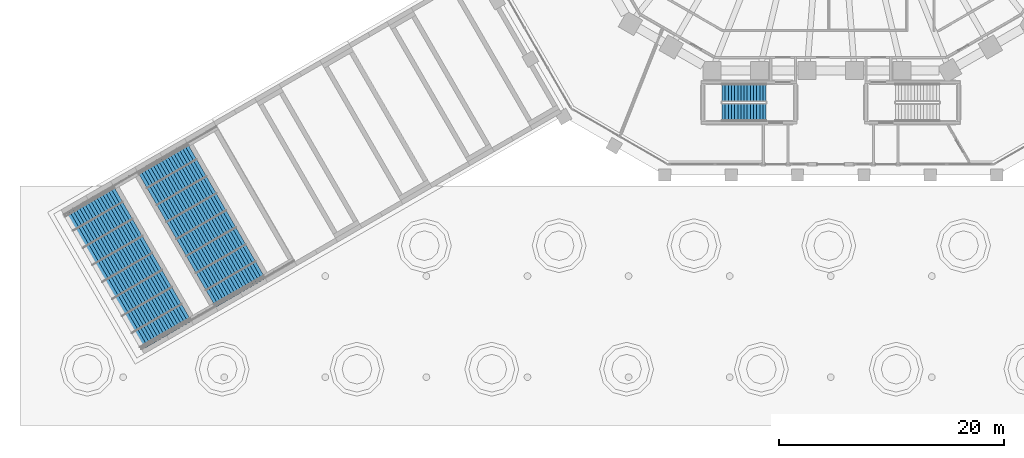
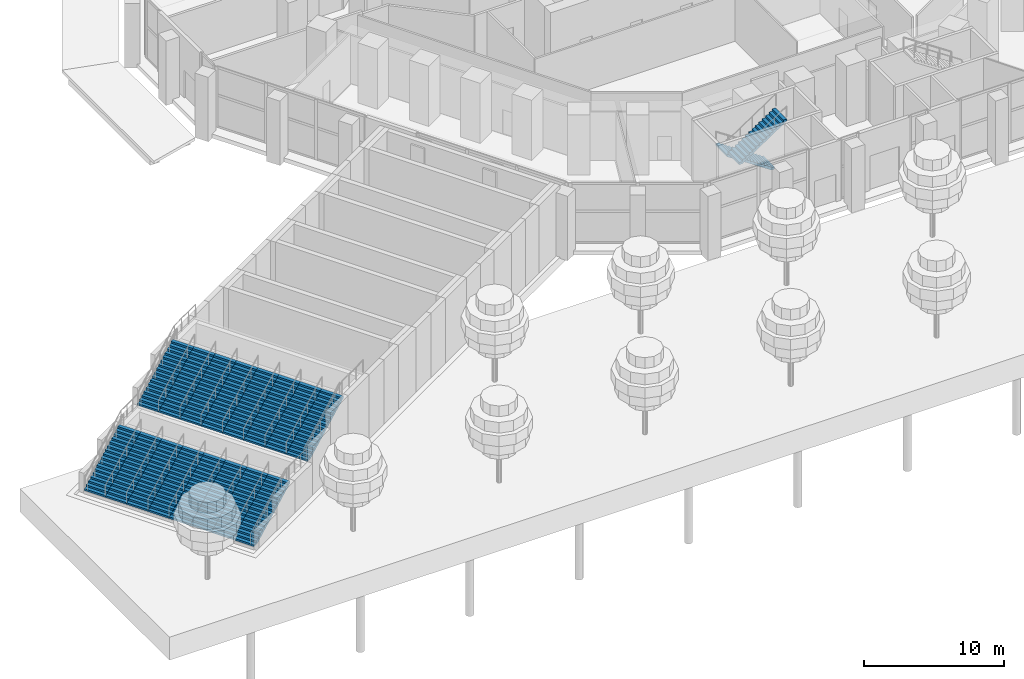
# One storey, part 29 of 44: 18 stair flights, 2 elements without a shape of their own.
"""IFC4 building model written with IfcOpenShell, lengths in metres."""

from ifc_helpers import new_model, si_unit, direction, frame, origin, place, context, subcontext, project, spatial, polyline, outline, extrude, material, layer, layer_set, type_object, element, aggregate, save


model = new_model("IFC4")

# Units and contexts
model_context = context("Model", 3, precision=1e-05, world=origin(), true_north=direction((0.0, 1.0)))
body_context = subcontext(model_context, "Body", "Model", "MODEL_VIEW")
ifc_project = project(units=[si_unit("LENGTHUNIT", "METRE"), si_unit("AREAUNIT", "SQUARE_METRE"), si_unit("VOLUMEUNIT", "CUBIC_METRE"), si_unit("PLANEANGLEUNIT", "RADIAN"), si_unit("MASSUNIT", "GRAM", prefix="KILO")], contexts=[model_context])

# Site, building, storey
site_placement = place(None, origin())
site = spatial("IfcSite", under=ifc_project, at=site_placement, CompositionType="ELEMENT")
building_placement = place(site_placement, origin())
building = spatial("IfcBuilding", under=site, at=building_placement, Name="Frailejon Research Tower", CompositionType="ELEMENT")
storey_placement = place(building_placement, origin())
storey = spatial("IfcBuildingStorey", under=building, at=storey_placement, Name="L00", CompositionType="ELEMENT", Elevation=0.0)

# Stair, stair flights
ifc_material_1 = material(Name="Concrete C35/45", Category="concrete")
stair_type_1 = type_object("IfcStairType", Name="Broad stair", PredefinedType="STRAIGHT_RUN_STAIR", material=ifc_material_1)
stair_1_placement = place(storey_placement, origin())
stair_1 = element("IfcStair", 1, at=stair_1_placement, inside=storey, type_object=stair_type_1, Name="Broad stair W1", PredefinedType="STRAIGHT_RUN_STAIR")
ifc_material_2 = material(Name="Concrete C35/45", Category="concrete")
stair_flight_type_1 = type_object("IfcStairFlightType", Name="Broad stair flight", PredefinedType="STRAIGHT", material=ifc_material_2)
stair_flight_1_placement = place(storey_placement, frame((-61.31005859375, -36.40771484375, 2.800048828125), z_axis=(0.0, 0.0, 1.0), x_axis=(0.866025403784, 0.5, 0.0)))
stair_flight_1 = element("IfcStairFlight", 2, at=stair_flight_1_placement, type_object=stair_flight_type_1, Name="SS-W1 flight 1", NumberOfRisers=18, NumberOfTreads=17, PredefinedType="STRAIGHT", RiserHeight=0.155555556, TreadLength=0.3, context=body_context, shape_type="SweptSolid", body=[
    extrude(outline(polyline([(0.0, 0.0), (0.0, 0.155517578125), (0.300048828125, 0.155517578125), (0.300048828125, 0.31103515625), (0.60009765625, 0.31103515625), (0.60009765625, 0.466552734375), (0.89990234375, 0.466552734375), (0.89990234375, 0.622314453125), (1.199951171875, 0.622314453125), (1.199951171875, 0.77783203125), (1.5, 0.77783203125), (1.5, 0.933349609375), (1.800048828125, 0.933349609375), (1.800048828125, 1.0888671875), (2.10009765625, 1.0888671875), (2.10009765625, 1.244384765625), (2.39990234375, 1.244384765625), (2.39990234375, 1.39990234375), (2.699951171875, 1.39990234375), (2.699951171875, 1.5556640625), (3.0, 1.5556640625), (3.0, 1.711181640625), (3.300048828125, 1.711181640625), (3.300048828125, 1.86669921875), (3.60009765625, 1.86669921875), (3.60009765625, 2.022216796875), (3.89990234375, 2.022216796875), (3.89990234375, 2.177734375), (4.199951171875, 2.177734375), (4.199951171875, 2.333251953125), (4.5, 2.333251953125), (4.5, 2.48876953125), (4.800048828125, 2.48876953125), (4.800048828125, 2.64453125), (5.10009765625, 2.64453125), (5.10009765625, 2.800048828125), (5.10009765625, 2.419189453125), (0.434326171875, 0.0), (0.0, 0.0)])), frame((0.0, 0.875, 0.0), z_axis=(0.0, -1.0, 0.0), x_axis=(1.0, 0.0, 0.0)), (0.0, 0.0, 1.0), 1.75),
])
stair_flight_2_placement = place(storey_placement, frame((-60.43505859375, -37.92333984375, 2.800048828125), z_axis=(0.0, 0.0, 1.0), x_axis=(0.866025403784, 0.5, 0.0)))
stair_flight_2 = element("IfcStairFlight", 3, at=stair_flight_2_placement, type_object=stair_flight_type_1, Name="SS-W1 flight 2", NumberOfRisers=18, NumberOfTreads=17, PredefinedType="STRAIGHT", RiserHeight=0.155555556, TreadLength=0.3, context=body_context, shape_type="SweptSolid", body=[
    extrude(outline(polyline([(0.0, 0.0), (0.0, 0.155517578125), (0.300048828125, 0.155517578125), (0.300048828125, 0.31103515625), (0.60009765625, 0.31103515625), (0.60009765625, 0.466552734375), (0.89990234375, 0.466552734375), (0.89990234375, 0.622314453125), (1.199951171875, 0.622314453125), (1.199951171875, 0.77783203125), (1.5, 0.77783203125), (1.5, 0.933349609375), (1.800048828125, 0.933349609375), (1.800048828125, 1.0888671875), (2.10009765625, 1.0888671875), (2.10009765625, 1.244384765625), (2.39990234375, 1.244384765625), (2.39990234375, 1.39990234375), (2.699951171875, 1.39990234375), (2.699951171875, 1.5556640625), (3.0, 1.5556640625), (3.0, 1.711181640625), (3.300048828125, 1.711181640625), (3.300048828125, 1.86669921875), (3.60009765625, 1.86669921875), (3.60009765625, 2.022216796875), (3.89990234375, 2.022216796875), (3.89990234375, 2.177734375), (4.199951171875, 2.177734375), (4.199951171875, 2.333251953125), (4.5, 2.333251953125), (4.5, 2.48876953125), (4.800048828125, 2.48876953125), (4.800048828125, 2.64453125), (5.10009765625, 2.64453125), (5.10009765625, 2.800048828125), (5.10009765625, 2.419189453125), (0.434326171875, 0.0), (0.0, 0.0)])), frame((0.0, 0.875, 0.0), z_axis=(0.0, -1.0, 0.0), x_axis=(1.0, 0.0, 0.0)), (0.0, 0.0, 1.0), 1.75),
])
stair_flight_3_placement = place(storey_placement, frame((-59.56005859375, -39.43896484375, 2.800048828125), z_axis=(0.0, 0.0, 1.0), x_axis=(0.866025403784, 0.5, 0.0)))
stair_flight_3 = element("IfcStairFlight", 4, at=stair_flight_3_placement, type_object=stair_flight_type_1, Name="SS-W1 flight 3", NumberOfRisers=18, NumberOfTreads=17, PredefinedType="STRAIGHT", RiserHeight=0.155555556, TreadLength=0.3, context=body_context, shape_type="SweptSolid", body=[
    extrude(outline(polyline([(0.0, 0.0), (0.0, 0.155517578125), (0.300048828125, 0.155517578125), (0.300048828125, 0.31103515625), (0.60009765625, 0.31103515625), (0.60009765625, 0.466552734375), (0.89990234375, 0.466552734375), (0.89990234375, 0.622314453125), (1.199951171875, 0.622314453125), (1.199951171875, 0.77783203125), (1.5, 0.77783203125), (1.5, 0.933349609375), (1.800048828125, 0.933349609375), (1.800048828125, 1.0888671875), (2.10009765625, 1.0888671875), (2.10009765625, 1.244384765625), (2.39990234375, 1.244384765625), (2.39990234375, 1.39990234375), (2.699951171875, 1.39990234375), (2.699951171875, 1.5556640625), (3.0, 1.5556640625), (3.0, 1.711181640625), (3.300048828125, 1.711181640625), (3.300048828125, 1.86669921875), (3.60009765625, 1.86669921875), (3.60009765625, 2.022216796875), (3.89990234375, 2.022216796875), (3.89990234375, 2.177734375), (4.199951171875, 2.177734375), (4.199951171875, 2.333251953125), (4.5, 2.333251953125), (4.5, 2.48876953125), (4.800048828125, 2.48876953125), (4.800048828125, 2.64453125), (5.10009765625, 2.64453125), (5.10009765625, 2.800048828125), (5.10009765625, 2.419189453125), (0.434326171875, 0.0), (0.0, 0.0)])), frame((0.0, 0.875, 0.0), z_axis=(0.0, -1.0, 0.0), x_axis=(1.0, 0.0, 0.0)), (0.0, 0.0, 1.0), 1.75),
])
stair_flight_4_placement = place(storey_placement, frame((-58.68505859375, -40.954345703125, 2.800048828125), z_axis=(0.0, 0.0, 1.0), x_axis=(0.866025403784, 0.5, 0.0)))
stair_flight_4 = element("IfcStairFlight", 5, at=stair_flight_4_placement, type_object=stair_flight_type_1, Name="SS-W1 flight 4", NumberOfRisers=18, NumberOfTreads=17, PredefinedType="STRAIGHT", RiserHeight=0.155555556, TreadLength=0.3, context=body_context, shape_type="SweptSolid", body=[
    extrude(outline(polyline([(0.0, 0.0), (0.0, 0.155517578125), (0.300048828125, 0.155517578125), (0.300048828125, 0.31103515625), (0.60009765625, 0.31103515625), (0.60009765625, 0.466552734375), (0.89990234375, 0.466552734375), (0.89990234375, 0.622314453125), (1.199951171875, 0.622314453125), (1.199951171875, 0.77783203125), (1.5, 0.77783203125), (1.5, 0.933349609375), (1.800048828125, 0.933349609375), (1.800048828125, 1.0888671875), (2.10009765625, 1.0888671875), (2.10009765625, 1.244384765625), (2.39990234375, 1.244384765625), (2.39990234375, 1.39990234375), (2.699951171875, 1.39990234375), (2.699951171875, 1.5556640625), (3.0, 1.5556640625), (3.0, 1.711181640625), (3.300048828125, 1.711181640625), (3.300048828125, 1.86669921875), (3.60009765625, 1.86669921875), (3.60009765625, 2.022216796875), (3.89990234375, 2.022216796875), (3.89990234375, 2.177734375), (4.199951171875, 2.177734375), (4.199951171875, 2.333251953125), (4.5, 2.333251953125), (4.5, 2.48876953125), (4.800048828125, 2.48876953125), (4.800048828125, 2.64453125), (5.10009765625, 2.64453125), (5.10009765625, 2.800048828125), (5.10009765625, 2.419189453125), (0.434326171875, 0.0), (0.0, 0.0)])), frame((0.0, 0.875, 0.0), z_axis=(0.0, -1.0, 0.0), x_axis=(1.0, 0.0, 0.0)), (0.0, 0.0, 1.0), 1.75),
])
stair_flight_5_placement = place(storey_placement, frame((-57.81005859375, -42.469970703125, 2.800048828125), z_axis=(0.0, 0.0, 1.0), x_axis=(0.866025403784, 0.5, 0.0)))
stair_flight_5 = element("IfcStairFlight", 6, at=stair_flight_5_placement, type_object=stair_flight_type_1, Name="SS-W1 flight 5", NumberOfRisers=18, NumberOfTreads=17, PredefinedType="STRAIGHT", RiserHeight=0.155555556, TreadLength=0.3, context=body_context, shape_type="SweptSolid", body=[
    extrude(outline(polyline([(0.0, 0.0), (0.0, 0.155517578125), (0.300048828125, 0.155517578125), (0.300048828125, 0.31103515625), (0.60009765625, 0.31103515625), (0.60009765625, 0.466552734375), (0.89990234375, 0.466552734375), (0.89990234375, 0.622314453125), (1.199951171875, 0.622314453125), (1.199951171875, 0.77783203125), (1.5, 0.77783203125), (1.5, 0.933349609375), (1.800048828125, 0.933349609375), (1.800048828125, 1.0888671875), (2.10009765625, 1.0888671875), (2.10009765625, 1.244384765625), (2.39990234375, 1.244384765625), (2.39990234375, 1.39990234375), (2.699951171875, 1.39990234375), (2.699951171875, 1.5556640625), (3.0, 1.5556640625), (3.0, 1.711181640625), (3.300048828125, 1.711181640625), (3.300048828125, 1.86669921875), (3.60009765625, 1.86669921875), (3.60009765625, 2.022216796875), (3.89990234375, 2.022216796875), (3.89990234375, 2.177734375), (4.199951171875, 2.177734375), (4.199951171875, 2.333251953125), (4.5, 2.333251953125), (4.5, 2.48876953125), (4.800048828125, 2.48876953125), (4.800048828125, 2.64453125), (5.10009765625, 2.64453125), (5.10009765625, 2.800048828125), (5.10009765625, 2.419189453125), (0.434326171875, 0.0), (0.0, 0.0)])), frame((0.0, 0.875, 0.0), z_axis=(0.0, -1.0, 0.0), x_axis=(1.0, 0.0, 0.0)), (0.0, 0.0, 1.0), 1.75),
])
stair_flight_6_placement = place(storey_placement, frame((-56.93505859375, -43.985595703125, 2.800048828125), z_axis=(0.0, 0.0, 1.0), x_axis=(0.866025403784, 0.5, 0.0)))
stair_flight_6 = element("IfcStairFlight", 7, at=stair_flight_6_placement, type_object=stair_flight_type_1, Name="SS-W1 flight 6", NumberOfRisers=18, NumberOfTreads=17, PredefinedType="STRAIGHT", RiserHeight=0.155555556, TreadLength=0.3, context=body_context, shape_type="SweptSolid", body=[
    extrude(outline(polyline([(0.0, 0.0), (0.0, 0.155517578125), (0.300048828125, 0.155517578125), (0.300048828125, 0.31103515625), (0.60009765625, 0.31103515625), (0.60009765625, 0.466552734375), (0.89990234375, 0.466552734375), (0.89990234375, 0.622314453125), (1.199951171875, 0.622314453125), (1.199951171875, 0.77783203125), (1.5, 0.77783203125), (1.5, 0.933349609375), (1.800048828125, 0.933349609375), (1.800048828125, 1.0888671875), (2.10009765625, 1.0888671875), (2.10009765625, 1.244384765625), (2.39990234375, 1.244384765625), (2.39990234375, 1.39990234375), (2.699951171875, 1.39990234375), (2.699951171875, 1.5556640625), (3.0, 1.5556640625), (3.0, 1.711181640625), (3.300048828125, 1.711181640625), (3.300048828125, 1.86669921875), (3.60009765625, 1.86669921875), (3.60009765625, 2.022216796875), (3.89990234375, 2.022216796875), (3.89990234375, 2.177734375), (4.199951171875, 2.177734375), (4.199951171875, 2.333251953125), (4.5, 2.333251953125), (4.5, 2.48876953125), (4.800048828125, 2.48876953125), (4.800048828125, 2.64453125), (5.10009765625, 2.64453125), (5.10009765625, 2.800048828125), (5.10009765625, 2.419189453125), (0.434326171875, 0.0), (0.0, 0.0)])), frame((0.0, 0.875, 0.0), z_axis=(0.0, -1.0, 0.0), x_axis=(1.0, 0.0, 0.0)), (0.0, 0.0, 1.0), 1.75),
])
stair_flight_7_placement = place(storey_placement, frame((-56.06005859375, -45.5009765625, 2.800048828125), z_axis=(0.0, 0.0, 1.0), x_axis=(0.866025403784, 0.5, 0.0)))
stair_flight_7 = element("IfcStairFlight", 8, at=stair_flight_7_placement, type_object=stair_flight_type_1, Name="SS-W1 flight 7", NumberOfRisers=18, NumberOfTreads=17, PredefinedType="STRAIGHT", RiserHeight=0.155555556, TreadLength=0.3, context=body_context, shape_type="SweptSolid", body=[
    extrude(outline(polyline([(0.0, 0.0), (0.0, 0.155517578125), (0.300048828125, 0.155517578125), (0.300048828125, 0.31103515625), (0.60009765625, 0.31103515625), (0.60009765625, 0.466552734375), (0.89990234375, 0.466552734375), (0.89990234375, 0.622314453125), (1.199951171875, 0.622314453125), (1.199951171875, 0.77783203125), (1.5, 0.77783203125), (1.5, 0.933349609375), (1.800048828125, 0.933349609375), (1.800048828125, 1.0888671875), (2.10009765625, 1.0888671875), (2.10009765625, 1.244384765625), (2.39990234375, 1.244384765625), (2.39990234375, 1.39990234375), (2.699951171875, 1.39990234375), (2.699951171875, 1.5556640625), (3.0, 1.5556640625), (3.0, 1.711181640625), (3.300048828125, 1.711181640625), (3.300048828125, 1.86669921875), (3.60009765625, 1.86669921875), (3.60009765625, 2.022216796875), (3.89990234375, 2.022216796875), (3.89990234375, 2.177734375), (4.199951171875, 2.177734375), (4.199951171875, 2.333251953125), (4.5, 2.333251953125), (4.5, 2.48876953125), (4.800048828125, 2.48876953125), (4.800048828125, 2.64453125), (5.10009765625, 2.64453125), (5.10009765625, 2.800048828125), (5.10009765625, 2.419189453125), (0.434326171875, 0.0), (0.0, 0.0)])), frame((0.0, 0.875, 0.0), z_axis=(0.0, -1.0, 0.0), x_axis=(1.0, 0.0, 0.0)), (0.0, 0.0, 1.0), 1.75),
])
stair_flight_8_placement = place(storey_placement, frame((-55.18505859375, -47.0166015625, 2.800048828125), z_axis=(0.0, 0.0, 1.0), x_axis=(0.866025403784, 0.5, 0.0)))
stair_flight_8 = element("IfcStairFlight", 9, at=stair_flight_8_placement, type_object=stair_flight_type_1, Name="SS-W1 flight 8", NumberOfRisers=18, NumberOfTreads=17, PredefinedType="STRAIGHT", RiserHeight=0.155555556, TreadLength=0.3, context=body_context, shape_type="SweptSolid", body=[
    extrude(outline(polyline([(0.0, 0.0), (0.0, 0.155517578125), (0.300048828125, 0.155517578125), (0.300048828125, 0.31103515625), (0.60009765625, 0.31103515625), (0.60009765625, 0.466552734375), (0.89990234375, 0.466552734375), (0.89990234375, 0.622314453125), (1.199951171875, 0.622314453125), (1.199951171875, 0.77783203125), (1.5, 0.77783203125), (1.5, 0.933349609375), (1.800048828125, 0.933349609375), (1.800048828125, 1.0888671875), (2.10009765625, 1.0888671875), (2.10009765625, 1.244384765625), (2.39990234375, 1.244384765625), (2.39990234375, 1.39990234375), (2.699951171875, 1.39990234375), (2.699951171875, 1.5556640625), (3.0, 1.5556640625), (3.0, 1.711181640625), (3.300048828125, 1.711181640625), (3.300048828125, 1.86669921875), (3.60009765625, 1.86669921875), (3.60009765625, 2.022216796875), (3.89990234375, 2.022216796875), (3.89990234375, 2.177734375), (4.199951171875, 2.177734375), (4.199951171875, 2.333251953125), (4.5, 2.333251953125), (4.5, 2.48876953125), (4.800048828125, 2.48876953125), (4.800048828125, 2.64453125), (5.10009765625, 2.64453125), (5.10009765625, 2.800048828125), (5.10009765625, 2.419189453125), (0.434326171875, 0.0), (0.0, 0.0)])), frame((0.0, 0.875, 0.0), z_axis=(0.0, -1.0, 0.0), x_axis=(1.0, 0.0, 0.0)), (0.0, 0.0, 1.0), 1.75),
])
stair_flight_9_placement = place(storey_placement, frame((-67.891845703125, -40.207763671875, 0.0), z_axis=(0.0, 0.0, 1.0), x_axis=(0.866025403784, 0.5, 0.0)))
stair_flight_9 = element("IfcStairFlight", 10, at=stair_flight_9_placement, type_object=stair_flight_type_1, Name="SS-W1 flight 9", NumberOfRisers=18, NumberOfTreads=17, PredefinedType="STRAIGHT", RiserHeight=0.155555556, TreadLength=0.3, context=body_context, shape_type="SweptSolid", body=[
    extrude(outline(polyline([(0.0, 0.0), (0.0, 0.155517578125), (0.300048828125, 0.155517578125), (0.300048828125, 0.31103515625), (0.60009765625, 0.31103515625), (0.60009765625, 0.466552734375), (0.89990234375, 0.466552734375), (0.89990234375, 0.622314453125), (1.199951171875, 0.622314453125), (1.199951171875, 0.77783203125), (1.5, 0.77783203125), (1.5, 0.933349609375), (1.800048828125, 0.933349609375), (1.800048828125, 1.0888671875), (2.10009765625, 1.0888671875), (2.10009765625, 1.244384765625), (2.39990234375, 1.244384765625), (2.39990234375, 1.39990234375), (2.699951171875, 1.39990234375), (2.699951171875, 1.5556640625), (3.0, 1.5556640625), (3.0, 1.711181640625), (3.300048828125, 1.711181640625), (3.300048828125, 1.86669921875), (3.60009765625, 1.86669921875), (3.60009765625, 2.022216796875), (3.89990234375, 2.022216796875), (3.89990234375, 2.177734375), (4.199951171875, 2.177734375), (4.199951171875, 2.333251953125), (4.5, 2.333251953125), (4.5, 2.48876953125), (4.800048828125, 2.48876953125), (4.800048828125, 2.64453125), (5.10009765625, 2.64453125), (5.10009765625, 2.800048828125), (5.10009765625, 2.419189453125), (0.434326171875, 0.0), (0.0, 0.0)])), frame((0.0, 0.875, 0.0), z_axis=(0.0, -1.0, 0.0), x_axis=(1.0, 0.0, 0.0)), (0.0, 0.0, 1.0), 1.75),
])
stair_flight_10_placement = place(storey_placement, frame((-67.016845703125, -41.723388671875, 0.0), z_axis=(0.0, 0.0, 1.0), x_axis=(0.866025403784, 0.5, 0.0)))
stair_flight_10 = element("IfcStairFlight", 11, at=stair_flight_10_placement, type_object=stair_flight_type_1, Name="SS-W1 flight 10", NumberOfRisers=18, NumberOfTreads=17, PredefinedType="STRAIGHT", RiserHeight=0.155555556, TreadLength=0.3, context=body_context, shape_type="SweptSolid", body=[
    extrude(outline(polyline([(0.0, 0.0), (0.0, 0.155517578125), (0.300048828125, 0.155517578125), (0.300048828125, 0.31103515625), (0.60009765625, 0.31103515625), (0.60009765625, 0.466552734375), (0.89990234375, 0.466552734375), (0.89990234375, 0.622314453125), (1.199951171875, 0.622314453125), (1.199951171875, 0.77783203125), (1.5, 0.77783203125), (1.5, 0.933349609375), (1.800048828125, 0.933349609375), (1.800048828125, 1.0888671875), (2.10009765625, 1.0888671875), (2.10009765625, 1.244384765625), (2.39990234375, 1.244384765625), (2.39990234375, 1.39990234375), (2.699951171875, 1.39990234375), (2.699951171875, 1.5556640625), (3.0, 1.5556640625), (3.0, 1.711181640625), (3.300048828125, 1.711181640625), (3.300048828125, 1.86669921875), (3.60009765625, 1.86669921875), (3.60009765625, 2.022216796875), (3.89990234375, 2.022216796875), (3.89990234375, 2.177734375), (4.199951171875, 2.177734375), (4.199951171875, 2.333251953125), (4.5, 2.333251953125), (4.5, 2.48876953125), (4.800048828125, 2.48876953125), (4.800048828125, 2.64453125), (5.10009765625, 2.64453125), (5.10009765625, 2.800048828125), (5.10009765625, 2.419189453125), (0.434326171875, 0.0), (0.0, 0.0)])), frame((0.0, 0.875, 0.0), z_axis=(0.0, -1.0, 0.0), x_axis=(1.0, 0.0, 0.0)), (0.0, 0.0, 1.0), 1.75),
])
stair_flight_11_placement = place(storey_placement, frame((-66.141845703125, -43.239013671875, 0.0), z_axis=(0.0, 0.0, 1.0), x_axis=(0.866025403784, 0.5, 0.0)))
stair_flight_11 = element("IfcStairFlight", 12, at=stair_flight_11_placement, type_object=stair_flight_type_1, Name="SS-W1 flight 11", NumberOfRisers=18, NumberOfTreads=17, PredefinedType="STRAIGHT", RiserHeight=0.155555556, TreadLength=0.3, context=body_context, shape_type="SweptSolid", body=[
    extrude(outline(polyline([(0.0, 0.0), (0.0, 0.155517578125), (0.300048828125, 0.155517578125), (0.300048828125, 0.31103515625), (0.60009765625, 0.31103515625), (0.60009765625, 0.466552734375), (0.89990234375, 0.466552734375), (0.89990234375, 0.622314453125), (1.199951171875, 0.622314453125), (1.199951171875, 0.77783203125), (1.5, 0.77783203125), (1.5, 0.933349609375), (1.800048828125, 0.933349609375), (1.800048828125, 1.0888671875), (2.10009765625, 1.0888671875), (2.10009765625, 1.244384765625), (2.39990234375, 1.244384765625), (2.39990234375, 1.39990234375), (2.699951171875, 1.39990234375), (2.699951171875, 1.5556640625), (3.0, 1.5556640625), (3.0, 1.711181640625), (3.300048828125, 1.711181640625), (3.300048828125, 1.86669921875), (3.60009765625, 1.86669921875), (3.60009765625, 2.022216796875), (3.89990234375, 2.022216796875), (3.89990234375, 2.177734375), (4.199951171875, 2.177734375), (4.199951171875, 2.333251953125), (4.5, 2.333251953125), (4.5, 2.48876953125), (4.800048828125, 2.48876953125), (4.800048828125, 2.64453125), (5.10009765625, 2.64453125), (5.10009765625, 2.800048828125), (5.10009765625, 2.419189453125), (0.434326171875, 0.0), (0.0, 0.0)])), frame((0.0, 0.875, 0.0), z_axis=(0.0, -1.0, 0.0), x_axis=(1.0, 0.0, 0.0)), (0.0, 0.0, 1.0), 1.75),
])
stair_flight_12_placement = place(storey_placement, frame((-65.266845703125, -44.75439453125, 0.0), z_axis=(0.0, 0.0, 1.0), x_axis=(0.866025403784, 0.5, 0.0)))
stair_flight_12 = element("IfcStairFlight", 13, at=stair_flight_12_placement, type_object=stair_flight_type_1, Name="SS-W1 flight 12", NumberOfRisers=18, NumberOfTreads=17, PredefinedType="STRAIGHT", RiserHeight=0.155555556, TreadLength=0.3, context=body_context, shape_type="SweptSolid", body=[
    extrude(outline(polyline([(0.0, 0.0), (0.0, 0.155517578125), (0.300048828125, 0.155517578125), (0.300048828125, 0.31103515625), (0.60009765625, 0.31103515625), (0.60009765625, 0.466552734375), (0.89990234375, 0.466552734375), (0.89990234375, 0.622314453125), (1.199951171875, 0.622314453125), (1.199951171875, 0.77783203125), (1.5, 0.77783203125), (1.5, 0.933349609375), (1.800048828125, 0.933349609375), (1.800048828125, 1.0888671875), (2.10009765625, 1.0888671875), (2.10009765625, 1.244384765625), (2.39990234375, 1.244384765625), (2.39990234375, 1.39990234375), (2.699951171875, 1.39990234375), (2.699951171875, 1.5556640625), (3.0, 1.5556640625), (3.0, 1.711181640625), (3.300048828125, 1.711181640625), (3.300048828125, 1.86669921875), (3.60009765625, 1.86669921875), (3.60009765625, 2.022216796875), (3.89990234375, 2.022216796875), (3.89990234375, 2.177734375), (4.199951171875, 2.177734375), (4.199951171875, 2.333251953125), (4.5, 2.333251953125), (4.5, 2.48876953125), (4.800048828125, 2.48876953125), (4.800048828125, 2.64453125), (5.10009765625, 2.64453125), (5.10009765625, 2.800048828125), (5.10009765625, 2.419189453125), (0.434326171875, 0.0), (0.0, 0.0)])), frame((0.0, 0.875, 0.0), z_axis=(0.0, -1.0, 0.0), x_axis=(1.0, 0.0, 0.0)), (0.0, 0.0, 1.0), 1.75),
])
stair_flight_13_placement = place(storey_placement, frame((-64.391845703125, -46.27001953125, 0.0), z_axis=(0.0, 0.0, 1.0), x_axis=(0.866025403784, 0.5, 0.0)))
stair_flight_13 = element("IfcStairFlight", 14, at=stair_flight_13_placement, type_object=stair_flight_type_1, Name="SS-W1 flight 13", NumberOfRisers=18, NumberOfTreads=17, PredefinedType="STRAIGHT", RiserHeight=0.155555556, TreadLength=0.3, context=body_context, shape_type="SweptSolid", body=[
    extrude(outline(polyline([(0.0, 0.0), (0.0, 0.155517578125), (0.300048828125, 0.155517578125), (0.300048828125, 0.31103515625), (0.60009765625, 0.31103515625), (0.60009765625, 0.466552734375), (0.89990234375, 0.466552734375), (0.89990234375, 0.622314453125), (1.199951171875, 0.622314453125), (1.199951171875, 0.77783203125), (1.5, 0.77783203125), (1.5, 0.933349609375), (1.800048828125, 0.933349609375), (1.800048828125, 1.0888671875), (2.10009765625, 1.0888671875), (2.10009765625, 1.244384765625), (2.39990234375, 1.244384765625), (2.39990234375, 1.39990234375), (2.699951171875, 1.39990234375), (2.699951171875, 1.5556640625), (3.0, 1.5556640625), (3.0, 1.711181640625), (3.300048828125, 1.711181640625), (3.300048828125, 1.86669921875), (3.60009765625, 1.86669921875), (3.60009765625, 2.022216796875), (3.89990234375, 2.022216796875), (3.89990234375, 2.177734375), (4.199951171875, 2.177734375), (4.199951171875, 2.333251953125), (4.5, 2.333251953125), (4.5, 2.48876953125), (4.800048828125, 2.48876953125), (4.800048828125, 2.64453125), (5.10009765625, 2.64453125), (5.10009765625, 2.800048828125), (5.10009765625, 2.419189453125), (0.434326171875, 0.0), (0.0, 0.0)])), frame((0.0, 0.875, 0.0), z_axis=(0.0, -1.0, 0.0), x_axis=(1.0, 0.0, 0.0)), (0.0, 0.0, 1.0), 1.75),
])
stair_flight_14_placement = place(storey_placement, frame((-63.516845703125, -47.785400390625, 0.0), z_axis=(0.0, 0.0, 1.0), x_axis=(0.866025403784, 0.5, 0.0)))
stair_flight_14 = element("IfcStairFlight", 15, at=stair_flight_14_placement, type_object=stair_flight_type_1, Name="SS-W1 flight 14", NumberOfRisers=18, NumberOfTreads=17, PredefinedType="STRAIGHT", RiserHeight=0.155555556, TreadLength=0.3, context=body_context, shape_type="SweptSolid", body=[
    extrude(outline(polyline([(0.0, 0.0), (0.0, 0.155517578125), (0.300048828125, 0.155517578125), (0.300048828125, 0.31103515625), (0.60009765625, 0.31103515625), (0.60009765625, 0.466552734375), (0.89990234375, 0.466552734375), (0.89990234375, 0.622314453125), (1.199951171875, 0.622314453125), (1.199951171875, 0.77783203125), (1.5, 0.77783203125), (1.5, 0.933349609375), (1.800048828125, 0.933349609375), (1.800048828125, 1.0888671875), (2.10009765625, 1.0888671875), (2.10009765625, 1.244384765625), (2.39990234375, 1.244384765625), (2.39990234375, 1.39990234375), (2.699951171875, 1.39990234375), (2.699951171875, 1.5556640625), (3.0, 1.5556640625), (3.0, 1.711181640625), (3.300048828125, 1.711181640625), (3.300048828125, 1.86669921875), (3.60009765625, 1.86669921875), (3.60009765625, 2.022216796875), (3.89990234375, 2.022216796875), (3.89990234375, 2.177734375), (4.199951171875, 2.177734375), (4.199951171875, 2.333251953125), (4.5, 2.333251953125), (4.5, 2.48876953125), (4.800048828125, 2.48876953125), (4.800048828125, 2.64453125), (5.10009765625, 2.64453125), (5.10009765625, 2.800048828125), (5.10009765625, 2.419189453125), (0.434326171875, 0.0), (0.0, 0.0)])), frame((0.0, 0.875, 0.0), z_axis=(0.0, -1.0, 0.0), x_axis=(1.0, 0.0, 0.0)), (0.0, 0.0, 1.0), 1.75),
])
stair_flight_15_placement = place(storey_placement, frame((-62.641845703125, -49.301025390625, 0.0), z_axis=(0.0, 0.0, 1.0), x_axis=(0.866025403784, 0.5, 0.0)))
stair_flight_15 = element("IfcStairFlight", 16, at=stair_flight_15_placement, type_object=stair_flight_type_1, Name="SS-W1 flight 15", NumberOfRisers=18, NumberOfTreads=17, PredefinedType="STRAIGHT", RiserHeight=0.155555556, TreadLength=0.3, context=body_context, shape_type="SweptSolid", body=[
    extrude(outline(polyline([(0.0, 0.0), (0.0, 0.155517578125), (0.300048828125, 0.155517578125), (0.300048828125, 0.31103515625), (0.60009765625, 0.31103515625), (0.60009765625, 0.466552734375), (0.89990234375, 0.466552734375), (0.89990234375, 0.622314453125), (1.199951171875, 0.622314453125), (1.199951171875, 0.77783203125), (1.5, 0.77783203125), (1.5, 0.933349609375), (1.800048828125, 0.933349609375), (1.800048828125, 1.0888671875), (2.10009765625, 1.0888671875), (2.10009765625, 1.244384765625), (2.39990234375, 1.244384765625), (2.39990234375, 1.39990234375), (2.699951171875, 1.39990234375), (2.699951171875, 1.5556640625), (3.0, 1.5556640625), (3.0, 1.711181640625), (3.300048828125, 1.711181640625), (3.300048828125, 1.86669921875), (3.60009765625, 1.86669921875), (3.60009765625, 2.022216796875), (3.89990234375, 2.022216796875), (3.89990234375, 2.177734375), (4.199951171875, 2.177734375), (4.199951171875, 2.333251953125), (4.5, 2.333251953125), (4.5, 2.48876953125), (4.800048828125, 2.48876953125), (4.800048828125, 2.64453125), (5.10009765625, 2.64453125), (5.10009765625, 2.800048828125), (5.10009765625, 2.419189453125), (0.434326171875, 0.0), (0.0, 0.0)])), frame((0.0, 0.875, 0.0), z_axis=(0.0, -1.0, 0.0), x_axis=(1.0, 0.0, 0.0)), (0.0, 0.0, 1.0), 1.75),
])
stair_flight_16_placement = place(storey_placement, frame((-61.766845703125, -50.816650390625, 0.0), z_axis=(0.0, 0.0, 1.0), x_axis=(0.866025403784, 0.5, 0.0)))
stair_flight_16 = element("IfcStairFlight", 17, at=stair_flight_16_placement, type_object=stair_flight_type_1, Name="SS-W1 flight 16", NumberOfRisers=18, NumberOfTreads=17, PredefinedType="STRAIGHT", RiserHeight=0.155555556, TreadLength=0.3, context=body_context, shape_type="SweptSolid", body=[
    extrude(outline(polyline([(0.0, 0.0), (0.0, 0.155517578125), (0.300048828125, 0.155517578125), (0.300048828125, 0.31103515625), (0.60009765625, 0.31103515625), (0.60009765625, 0.466552734375), (0.89990234375, 0.466552734375), (0.89990234375, 0.622314453125), (1.199951171875, 0.622314453125), (1.199951171875, 0.77783203125), (1.5, 0.77783203125), (1.5, 0.933349609375), (1.800048828125, 0.933349609375), (1.800048828125, 1.0888671875), (2.10009765625, 1.0888671875), (2.10009765625, 1.244384765625), (2.39990234375, 1.244384765625), (2.39990234375, 1.39990234375), (2.699951171875, 1.39990234375), (2.699951171875, 1.5556640625), (3.0, 1.5556640625), (3.0, 1.711181640625), (3.300048828125, 1.711181640625), (3.300048828125, 1.86669921875), (3.60009765625, 1.86669921875), (3.60009765625, 2.022216796875), (3.89990234375, 2.022216796875), (3.89990234375, 2.177734375), (4.199951171875, 2.177734375), (4.199951171875, 2.333251953125), (4.5, 2.333251953125), (4.5, 2.48876953125), (4.800048828125, 2.48876953125), (4.800048828125, 2.64453125), (5.10009765625, 2.64453125), (5.10009765625, 2.800048828125), (5.10009765625, 2.419189453125), (0.434326171875, 0.0), (0.0, 0.0)])), frame((0.0, 0.875, 0.0), z_axis=(0.0, -1.0, 0.0), x_axis=(1.0, 0.0, 0.0)), (0.0, 0.0, 1.0), 1.75),
])
aggregate(stair_1, [stair_flight_1, stair_flight_2, stair_flight_3, stair_flight_4, stair_flight_5, stair_flight_6, stair_flight_7, stair_flight_8, stair_flight_9, stair_flight_10, stair_flight_11, stair_flight_12, stair_flight_13, stair_flight_14, stair_flight_15, stair_flight_16])

ifc_material_3 = material(Name="Concrete C50/60", Category="concrete")
stair_type_2 = type_object("IfcStairType", Name="Exit stair 30 risers", PredefinedType="HALF_TURN_STAIR", material=ifc_material_3)
stair_2_placement = place(storey_placement, origin())
stair_2 = element("IfcStair", 18, at=stair_2_placement, inside=storey, type_object=stair_type_2, Name="L00 Exit stair PS3", PredefinedType="HALF_TURN_STAIR")
ifc_material_4 = material(Name="Concrete C50/60", Category="concrete")
ifc_layer = layer(ifc_material_4, 0.14990234375)
ifc_layer_set = layer_set([ifc_layer], Name="Stair flight 15 risers")
stair_flight_type_2 = type_object("IfcStairFlightType", Name="Stair flight 15 risers", PredefinedType="STRAIGHT", material=ifc_layer_set)
stair_flight_17_placement = place(storey_placement, frame((-5.7568359375, -28.675048828125, 0.0), z_axis=(0.0, 0.0, 1.0), x_axis=(-1.0, 0.0, 0.0)))
stair_flight_17 = element("IfcStairFlight", 19, at=stair_flight_17_placement, type_object=stair_flight_type_2, Name="PS3 flight 1", NumberOfRisers=15, NumberOfTreads=14, PredefinedType="STRAIGHT", RiserHeight=0.186666667, TreadLength=0.28, context=body_context, shape_type="SweptSolid", body=[
    extrude(outline(polyline([(0.0, 0.0), (0.0, 0.186767578125), (0.280029296875, 0.186767578125), (0.280029296875, 0.373291015625), (0.56005859375, 0.373291015625), (0.56005859375, 0.56005859375), (0.840087890625, 0.56005859375), (0.840087890625, 0.74658203125), (1.1201171875, 0.74658203125), (1.1201171875, 0.933349609375), (1.39990234375, 0.933349609375), (1.39990234375, 1.1201171875), (1.679931640625, 1.1201171875), (1.679931640625, 1.306640625), (1.9599609375, 1.306640625), (1.9599609375, 1.493408203125), (2.239990234375, 1.493408203125), (2.239990234375, 1.679931640625), (2.52001953125, 1.679931640625), (2.52001953125, 1.86669921875), (2.800048828125, 1.86669921875), (2.800048828125, 2.05322265625), (3.080078125, 2.05322265625), (3.080078125, 2.239990234375), (3.360107421875, 2.239990234375), (3.360107421875, 2.4267578125), (3.639892578125, 2.4267578125), (3.639892578125, 2.61328125), (3.919921875, 2.61328125), (3.919921875, 2.800048828125), (3.919921875, 2.43310546875), (0.270263671875, 0.0), (0.0, 0.0)])), frame((0.0, 0.800048828125, 0.0), z_axis=(0.0, -1.0, 0.0), x_axis=(1.0, 0.0, 0.0)), (0.0, 0.0, 1.0), 1.60009765625),
])
stair_flight_18_placement = place(storey_placement, frame((-9.677001953125, -30.425048828125, 2.800048828125), z_axis=(0.0, 0.0, 1.0), x_axis=(1.0, 0.0, 0.0)))
stair_flight_18 = element("IfcStairFlight", 20, at=stair_flight_18_placement, type_object=stair_flight_type_2, Name="PS3 flight 2", NumberOfRisers=15, NumberOfTreads=14, PredefinedType="STRAIGHT", RiserHeight=0.186666667, TreadLength=0.28, context=body_context, shape_type="SweptSolid", body=[
    extrude(outline(polyline([(0.0, 0.0), (0.0, 0.186767578125), (0.280029296875, 0.186767578125), (0.280029296875, 0.373291015625), (0.56005859375, 0.373291015625), (0.56005859375, 0.56005859375), (0.840087890625, 0.56005859375), (0.840087890625, 0.74658203125), (1.1201171875, 0.74658203125), (1.1201171875, 0.933349609375), (1.39990234375, 0.933349609375), (1.39990234375, 1.1201171875), (1.679931640625, 1.1201171875), (1.679931640625, 1.306640625), (1.9599609375, 1.306640625), (1.9599609375, 1.493408203125), (2.239990234375, 1.493408203125), (2.239990234375, 1.679931640625), (2.52001953125, 1.679931640625), (2.52001953125, 1.86669921875), (2.800048828125, 1.86669921875), (2.800048828125, 2.05322265625), (3.080078125, 2.05322265625), (3.080078125, 2.239990234375), (3.360107421875, 2.239990234375), (3.360107421875, 2.4267578125), (3.639892578125, 2.4267578125), (3.639892578125, 2.61328125), (3.919921875, 2.61328125), (3.919921875, 2.800048828125), (3.919921875, 2.43310546875), (0.270263671875, 0.0), (0.0, 0.0)])), frame((0.0, 0.800048828125, 0.0), z_axis=(0.0, -1.0, 0.0), x_axis=(1.0, 0.0, 0.0)), (0.0, 0.0, 1.0), 1.60009765625),
])
aggregate(stair_2, [stair_flight_17, stair_flight_18])

save(model, "model.ifc")
